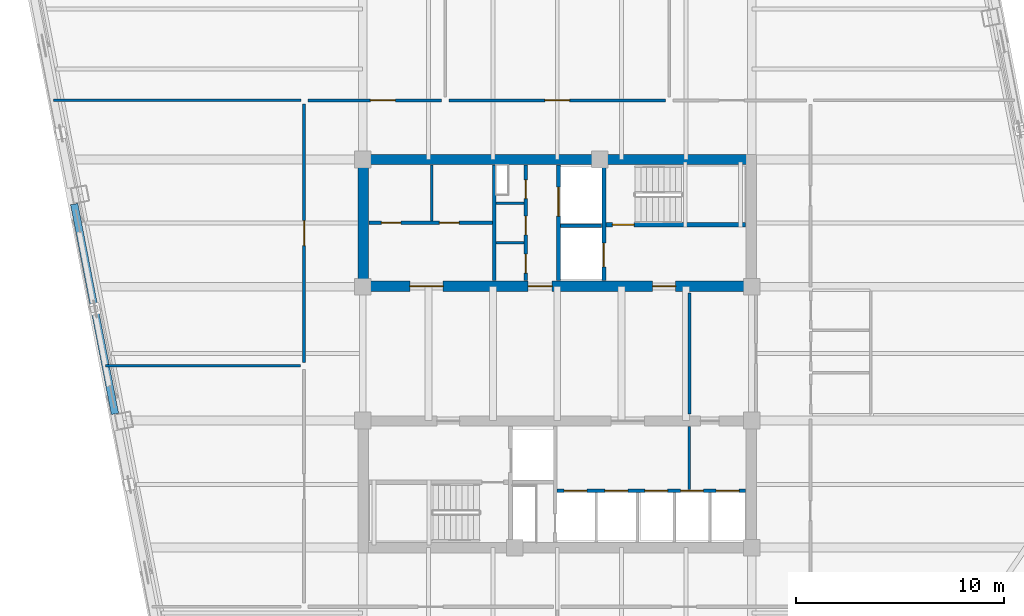
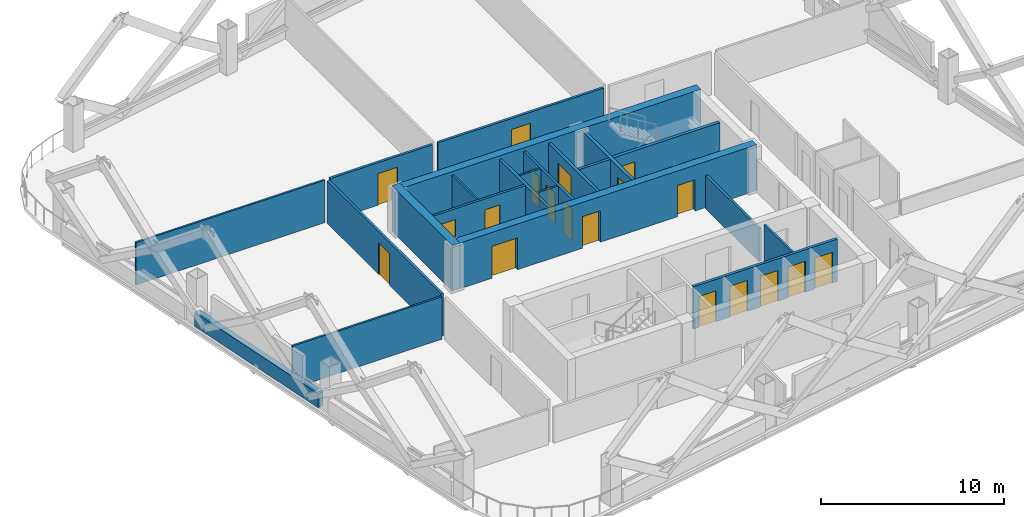
# One storey, part 5 of 9: 22 walls, 19 doors, 19 openings.
"""IFC4 building model written with IfcOpenShell, lengths in metres."""

from ifc_helpers import new_model, si_unit, direction, frame, frame_2d, origin, place, context, subcontext, project, spatial, rectangle, extrude, material, layer, layer_set, type_object, element, fill, save


model = new_model("IFC4")

# Units and contexts
model_context = context("Model", 3, precision=1e-05, world=origin(), true_north=direction((0.0, 1.0)))
body_context = subcontext(model_context, "Body", "Model", "MODEL_VIEW")
ifc_project = project(units=[si_unit("LENGTHUNIT", "METRE"), si_unit("AREAUNIT", "SQUARE_METRE"), si_unit("VOLUMEUNIT", "CUBIC_METRE"), si_unit("PLANEANGLEUNIT", "RADIAN"), si_unit("MASSUNIT", "GRAM", prefix="KILO")], contexts=[model_context])

# Site, building, storey
site_placement = place(None, origin())
site = spatial("IfcSite", under=ifc_project, at=site_placement, CompositionType="ELEMENT")
building_placement = place(site_placement, origin())
building = spatial("IfcBuilding", under=site, at=building_placement, Name="Qhalaya Broadcast Tower", CompositionType="ELEMENT")
storey_placement = place(building_placement, frame((0.0, 0.0, 137.199951171875)))
storey = spatial("IfcBuildingStorey", under=building, at=storey_placement, Name="L40", CompositionType="ELEMENT", Elevation=137.199951171875)

# Wall, openings, doors
ifc_material_1 = material(Name="Gypsum Acoustic Partition")
ifc_layer_1 = layer(ifc_material_1, 0.14990234375, Name="Gypsum Acoustic Partition")
ifc_layer_set_1 = layer_set([ifc_layer_1], Name="Gypsum Acoustic Partition")
wall_type_1 = type_object("IfcWallType", Name="Corridor & Tenancy Acoustic Partition 150", PredefinedType="PARTITIONING", material=ifc_layer_set_1)
wall_1_placement = place(storey_placement, frame((-1.52001953125, 4.1201171875, 0.0), z_axis=(0.0, 0.0, 1.0), x_axis=(0.0, 1.0, 0.0)))
wall_1 = element("IfcWall", 1, at=wall_1_placement, inside=storey, type_object=wall_type_1, Name="L40 Partition Wall NCW-SVL", PredefinedType="PARTITIONING", context=body_context, shape_type="SweptSolid", body=[
    extrude(rectangle(XDim=5.559814453125, YDim=0.14990234375, at=frame_2d((2.77978515625, 0.0))), origin(), (0.0, 0.0, 1.0), 2.830078125),
])
opening_1_placement = place(wall_1_placement, frame((3.949951171875, 0.0, 0.0)))
opening_1 = element("IfcOpeningElement", 2, at=opening_1_placement, cuts=wall_1, Name="Opening D06", PredefinedType="OPENING", context=body_context, shape_type="SweptSolid", body=[
    extrude(rectangle(XDim=0.89990234375, YDim=2.050048828125, at=frame_2d((0.449951171875, 1.02490234375))), frame((0.0, 0.0869140625, 0.0), z_axis=(0.0, -1.0, 0.0), x_axis=(1.0, 0.0, 0.0)), (0.0, 0.0, 1.0), 0.173828125),
])
opening_2_placement = place(wall_1_placement, frame((2.199951171875, 0.0, 0.0)))
opening_2 = element("IfcOpeningElement", 3, at=opening_2_placement, cuts=wall_1, Name="Opening D06", PredefinedType="OPENING", context=body_context, shape_type="SweptSolid", body=[
    extrude(rectangle(XDim=0.89990234375, YDim=2.050048828125, at=frame_2d((0.449951171875, 1.02490234375))), frame((0.0, 0.0869140625, 0.0), z_axis=(0.0, -1.0, 0.0), x_axis=(1.0, 0.0, 0.0)), (0.0, 0.0, 1.0), 0.173828125),
])
opening_3_placement = place(wall_1_placement, frame((0.35009765625, 0.0, 0.0)))
opening_3 = element("IfcOpeningElement", 4, at=opening_3_placement, cuts=wall_1, Name="Opening D12", PredefinedType="OPENING", context=body_context, shape_type="SweptSolid", body=[
    extrude(rectangle(XDim=0.919921875, YDim=2.10009765625, at=frame_2d((0.4599609375, 1.050048828125))), frame((0.0, 0.0869140625, 0.0), z_axis=(0.0, -1.0, 0.0), x_axis=(1.0, 0.0, 0.0)), (0.0, 0.0, 1.0), 0.173828125),
])
ifc_material_2 = material(Name="Timber Veneer Acoustic Door", Category="wood")
door_type_1 = type_object("IfcDoorType", Name="Accessible WC & Restroom Door D12", OperationType="NOTDEFINED", PredefinedType="DOOR", material=ifc_material_2)
door_1_placement = place(opening_3_placement, origin())
door_1 = element("IfcDoor", 5, at=door_1_placement, inside=storey, type_object=door_type_1, Name="L40 Door D-NCWC", OperationType="SINGLE_SWING_RIGHT", OverallHeight=2.10009765625, OverallWidth=0.919921875, PredefinedType="DOOR", context=body_context, shape_type="SweptSolid", body=[
    extrude(rectangle(XDim=0.919921875, YDim=2.10009765625, at=frame_2d((0.4599609375, 1.050048828125))), frame((0.0, 0.02490234375, 0.0), z_axis=(0.0, -1.0, 0.0), x_axis=(1.0, 0.0, 0.0)), (0.0, 0.0, 1.0), 0.050048828125),
])
fill(opening_3, door_1)
ifc_material_3 = material(Name="Fire-Rated Steel Door", Category="steel")
door_type_2 = type_object("IfcDoorType", Name="Riser & Electrical Shaft Access Door D06", OperationType="NOTDEFINED", PredefinedType="DOOR", material=ifc_material_3)
door_2_placement = place(opening_1_placement, origin())
door_2 = element("IfcDoor", 6, at=door_2_placement, inside=storey, type_object=door_type_2, Name="L40 Riser Shaft Access Door D-NRSR", OperationType="SINGLE_SWING_RIGHT", OverallHeight=2.050048828125, OverallWidth=0.89990234375, PredefinedType="DOOR", context=body_context, shape_type="SweptSolid", body=[
    extrude(rectangle(XDim=0.89990234375, YDim=2.050048828125, at=frame_2d((0.449951171875, 1.02490234375))), frame((0.0, 0.02490234375, 0.0), z_axis=(0.0, -1.0, 0.0), x_axis=(1.0, 0.0, 0.0)), (0.0, 0.0, 1.0), 0.050048828125),
])
fill(opening_1, door_2)
door_3_placement = place(opening_2_placement, origin())
door_3 = element("IfcDoor", 7, at=door_3_placement, inside=storey, type_object=door_type_2, Name="L40 Door D-NITR", OperationType="SINGLE_SWING_LEFT", OverallHeight=2.050048828125, OverallWidth=0.89990234375, PredefinedType="DOOR", context=body_context, shape_type="SweptSolid", body=[
    extrude(rectangle(XDim=0.89990234375, YDim=2.050048828125, at=frame_2d((0.449951171875, 1.02490234375))), frame((0.0, 0.02490234375, 0.0), z_axis=(0.0, -1.0, 0.0), x_axis=(1.0, 0.0, 0.0)), (0.0, 0.0, 1.0), 0.050048828125),
])
fill(opening_2, door_3)

wall_2_placement = place(storey_placement, frame((-9.080078125, 6.89990234375, 0.0), z_axis=(0.0, 0.0, 1.0), x_axis=(1.0, 0.0, 0.0)))
wall_2 = element("IfcWall", 8, at=wall_2_placement, inside=storey, type_object=wall_type_1, Name="L40 Partition Wall NCW-REC1", PredefinedType="PARTITIONING", context=body_context, shape_type="SweptSolid", body=[
    extrude(rectangle(XDim=5.9599609375, YDim=0.14990234375, at=frame_2d((2.97998046875, 0.0))), origin(), (0.0, 0.0, 1.0), 2.830078125),
])
opening_4_placement = place(wall_2_placement, frame((0.60009765625, 0.0, 0.0)))
opening_4 = element("IfcOpeningElement", 9, at=opening_4_placement, cuts=wall_2, Name="Opening D10", PredefinedType="OPENING", context=body_context, shape_type="SweptSolid", body=[
    extrude(rectangle(XDim=0.949951171875, YDim=2.10009765625, at=frame_2d((0.47509765625, 1.050048828125))), frame((0.0, 0.0869140625, 0.0), z_axis=(0.0, -1.0, 0.0), x_axis=(1.0, 0.0, 0.0)), (0.0, 0.0, 1.0), 0.173828125),
])
opening_5_placement = place(wall_2_placement, frame((3.39990234375, 0.0, 0.0)))
opening_5 = element("IfcOpeningElement", 10, at=opening_5_placement, cuts=wall_2, Name="Opening D10", PredefinedType="OPENING", context=body_context, shape_type="SweptSolid", body=[
    extrude(rectangle(XDim=0.949951171875, YDim=2.10009765625, at=frame_2d((0.47509765625, 1.050048828125))), frame((0.0, 0.0869140625, 0.0), z_axis=(0.0, -1.0, 0.0), x_axis=(1.0, 0.0, 0.0)), (0.0, 0.0, 1.0), 0.173828125),
])
door_type_3 = type_object("IfcDoorType", Name="Cellular Office & Edit Booth Door D10", OperationType="NOTDEFINED", PredefinedType="DOOR", material=ifc_material_2)
door_4_placement = place(opening_4_placement, origin())
door_4 = element("IfcDoor", 11, at=door_4_placement, inside=storey, type_object=door_type_3, Name="L40 Door D-NREC1", OperationType="SINGLE_SWING_LEFT", OverallHeight=2.10009765625, OverallWidth=0.949951171875, PredefinedType="DOOR", context=body_context, shape_type="SweptSolid", body=[
    extrude(rectangle(XDim=0.949951171875, YDim=2.10009765625, at=frame_2d((0.47509765625, 1.050048828125))), frame((0.0, 0.02490234375, 0.0), z_axis=(0.0, -1.0, 0.0), x_axis=(1.0, 0.0, 0.0)), (0.0, 0.0, 1.0), 0.050048828125),
])
fill(opening_4, door_4)
door_5_placement = place(opening_5_placement, origin())
door_5 = element("IfcDoor", 12, at=door_5_placement, inside=storey, type_object=door_type_3, Name="L40 Door D-NREC2", OperationType="SINGLE_SWING_RIGHT", OverallHeight=2.10009765625, OverallWidth=0.949951171875, PredefinedType="DOOR", context=body_context, shape_type="SweptSolid", body=[
    extrude(rectangle(XDim=0.949951171875, YDim=2.10009765625, at=frame_2d((0.47509765625, 1.050048828125))), frame((0.0, 0.02490234375, 0.0), z_axis=(0.0, -1.0, 0.0), x_axis=(1.0, 0.0, 0.0)), (0.0, 0.0, 1.0), 0.050048828125),
])
fill(opening_5, door_5)

# Wall
wall_3_placement = place(storey_placement, frame((6.3798828125, -2.320068359375, 0.0), z_axis=(0.0, 0.0, 1.0), x_axis=(0.0, 1.0, 0.0)))
element("IfcWall", 13, at=wall_3_placement, inside=storey, type_object=wall_type_1, Name="L40 Partition Wall W-ICHW", PredefinedType="PARTITIONING", context=body_context, shape_type="SweptSolid", body=[
    extrude(rectangle(XDim=5.840087890625, YDim=0.14990234375, at=frame_2d((2.919921875, 0.0))), origin(), (0.0, 0.0, 1.0), 2.197998046875),
])

# Wall, opening, door
wall_4_placement = place(storey_placement, frame((-12.02001953125, 12.800048828125, 0.0), z_axis=(0.0, 0.0, 1.0), x_axis=(1.0, 0.0, 0.0)))
wall_4 = element("IfcWall", 14, at=wall_4_placement, inside=storey, type_object=wall_type_1, Name="L40 Partition Wall W-COR-01", PredefinedType="PARTITIONING", context=body_context, shape_type="SweptSolid", body=[
    extrude(rectangle(XDim=6.43994140625, YDim=0.14990234375, at=frame_2d((3.219970703125, 0.0))), origin(), (0.0, 0.0, 1.0), 2.830078125),
])
opening_6_placement = place(wall_4_placement, frame((3.02001953125, 0.0, 0.0)))
opening_6 = element("IfcOpeningElement", 15, at=opening_6_placement, cuts=wall_4, Name="Opening D11", PredefinedType="OPENING", context=body_context, shape_type="SweptSolid", body=[
    extrude(rectangle(XDim=1.199951171875, YDim=2.10009765625, at=frame_2d((0.60009765625, 1.050048828125))), frame((0.0, 0.0869140625, 0.0), z_axis=(0.0, -1.0, 0.0), x_axis=(1.0, 0.0, 0.0)), (0.0, 0.0, 1.0), 0.173828125),
])
ifc_material_4 = material(Name="Anodised Aluminium Glazed Door", Category="aluminium")
door_type_4 = type_object("IfcDoorType", Name="Conference, Boardroom & Studio Control Door D11", OperationType="NOTDEFINED", PredefinedType="DOOR", material=ifc_material_4)
door_6_placement = place(opening_6_placement, origin())
door_6 = element("IfcDoor", 16, at=door_6_placement, inside=storey, type_object=door_type_4, Name="L40 Door D-RM01", OperationType="SINGLE_SWING_RIGHT", OverallHeight=2.10009765625, OverallWidth=1.199951171875, PredefinedType="DOOR", context=body_context, shape_type="SweptSolid", body=[
    extrude(rectangle(XDim=1.199951171875, YDim=2.10009765625, at=frame_2d((0.60009765625, 1.050048828125))), frame((0.0, 0.02490234375, 0.0), z_axis=(0.0, -1.0, 0.0), x_axis=(1.0, 0.0, 0.0)), (0.0, 0.0, 1.0), 0.050048828125),
])
fill(opening_6, door_6)

wall_5_placement = place(storey_placement, frame((-5.219970703125, 12.800048828125, 0.0), z_axis=(0.0, 0.0, 1.0), x_axis=(1.0, 0.0, 0.0)))
wall_5 = element("IfcWall", 17, at=wall_5_placement, inside=storey, type_object=wall_type_1, Name="L40 Partition Wall W-COR-02", PredefinedType="PARTITIONING", context=body_context, shape_type="SweptSolid", body=[
    extrude(rectangle(XDim=10.43994140625, YDim=0.14990234375, at=frame_2d((5.219970703125, 0.0))), origin(), (0.0, 0.0, 1.0), 2.830078125),
])
opening_7_placement = place(wall_5_placement, frame((4.6201171875, 0.0, 0.0)))
opening_7 = element("IfcOpeningElement", 18, at=opening_7_placement, cuts=wall_5, Name="Opening D11", PredefinedType="OPENING", context=body_context, shape_type="SweptSolid", body=[
    extrude(rectangle(XDim=1.199951171875, YDim=2.10009765625, at=frame_2d((0.60009765625, 1.050048828125))), frame((0.0, 0.0869140625, 0.0), z_axis=(0.0, -1.0, 0.0), x_axis=(1.0, 0.0, 0.0)), (0.0, 0.0, 1.0), 0.173828125),
])
door_7_placement = place(opening_7_placement, origin())
door_7 = element("IfcDoor", 19, at=door_7_placement, inside=storey, type_object=door_type_4, Name="L40 Door D-RM02", OperationType="SINGLE_SWING_LEFT", OverallHeight=2.10009765625, OverallWidth=1.199951171875, PredefinedType="DOOR", context=body_context, shape_type="SweptSolid", body=[
    extrude(rectangle(XDim=1.199951171875, YDim=2.10009765625, at=frame_2d((0.60009765625, 1.050048828125))), frame((0.0, 0.02490234375, 0.0), z_axis=(0.0, -1.0, 0.0), x_axis=(1.0, 0.0, 0.0)), (0.0, 0.0, 1.0), 0.050048828125),
])
fill(opening_7, door_7)

wall_6_placement = place(storey_placement, frame((-12.199951171875, 0.179931640625, 0.0), z_axis=(0.0, 0.0, 1.0), x_axis=(0.0, 1.0, 0.0)))
wall_6 = element("IfcWall", 20, at=wall_6_placement, inside=storey, type_object=wall_type_1, Name="L40 Partition Wall W-COR-07", PredefinedType="PARTITIONING", context=body_context, shape_type="SweptSolid", body=[
    extrude(rectangle(XDim=12.440185546875, YDim=0.14990234375, at=frame_2d((6.22021484375, 0.0))), origin(), (0.0, 0.0, 1.0), 2.830078125),
])
opening_8_placement = place(wall_6_placement, frame((5.6201171875, 0.0, 0.0)))
opening_8 = element("IfcOpeningElement", 21, at=opening_8_placement, cuts=wall_6, Name="Opening D11", PredefinedType="OPENING", context=body_context, shape_type="SweptSolid", body=[
    extrude(rectangle(XDim=1.199951171875, YDim=2.10009765625, at=frame_2d((0.60009765625, 1.050048828125))), frame((0.0, 0.0869140625, 0.0), z_axis=(0.0, -1.0, 0.0), x_axis=(1.0, 0.0, 0.0)), (0.0, 0.0, 1.0), 0.173828125),
])
door_8_placement = place(opening_8_placement, origin())
door_8 = element("IfcDoor", 22, at=door_8_placement, inside=storey, type_object=door_type_4, Name="L40 Door D-RM07", OperationType="SINGLE_SWING_RIGHT", OverallHeight=2.10009765625, OverallWidth=1.199951171875, PredefinedType="DOOR", context=body_context, shape_type="SweptSolid", body=[
    extrude(rectangle(XDim=1.199951171875, YDim=2.10009765625, at=frame_2d((0.60009765625, 1.050048828125))), frame((0.0, 0.02490234375, 0.0), z_axis=(0.0, -1.0, 0.0), x_axis=(1.0, 0.0, 0.0)), (0.0, 0.0, 1.0), 0.050048828125),
])
fill(opening_8, door_8)

# Wall
ifc_material_5 = material(Name="Precast Concrete C40/50", Category="concrete")
ifc_layer_2 = layer(ifc_material_5, 0.360107421875, Name="Precast Concrete C40/50")
ifc_layer_set_2 = layer_set([ifc_layer_2], Name="Precast Concrete C40/50")
wall_type_2 = type_object("IfcWallType", Name="Insulated Precast Terracotta Exterior Wall 360", PredefinedType="SOLIDWALL", material=ifc_layer_set_2)
wall_7_placement = place(storey_placement, frame((-21.31005859375, -2.30859375, 0.0), z_axis=(0.0, 0.0, 1.0), x_axis=(-0.190811924826, 0.981626614016, 0.0)))
element("IfcWall", 23, at=wall_7_placement, inside=storey, type_object=wall_type_2, Name="L40 Exoskeleton Diagrid Infill Wall W2", PredefinedType="SOLIDWALL", context=body_context, shape_type="SweptSolid", body=[
    extrude(rectangle(XDim=10.2998046875, YDim=0.360107421875, at=frame_2d((5.14990234375, 0.0))), origin(), (0.0, 0.0, 1.0), 0.949951171875),
])

# Wall, opening, door
ifc_material_6 = material(Name="Concrete C50/60", Category="concrete")
ifc_layer_3 = layer(ifc_material_6, 0.199951171875, Name="Concrete C50/60")
ifc_layer_set_3 = layer_set([ifc_layer_3], Name="Concrete C50/60")
wall_type_3 = type_object("IfcWallType", Name="Load-Bearing Stair Shaft Wall 200", PredefinedType="SHEAR", material=ifc_layer_set_3)
wall_8_placement = place(storey_placement, frame((2.360107421875, 6.804931640625, 0.0), z_axis=(0.0, 0.0, 1.0), x_axis=(1.0, 0.0, 0.0)))
wall_8 = element("IfcWall", 24, at=wall_8_placement, inside=storey, type_object=wall_type_3, Name="L40 Stair Core Shear Wall NCW-ST1", PredefinedType="SHEAR", context=body_context, shape_type="SweptSolid", body=[
    extrude(rectangle(XDim=6.719970703125, YDim=0.199951171875, at=frame_2d((3.35986328125, 0.0))), origin(), (0.0, 0.0, 1.0), 2.830078125),
])
opening_9_placement = place(wall_8_placement, frame((0.300048828125, 0.0, 0.0)))
opening_9 = element("IfcOpeningElement", 25, at=opening_9_placement, cuts=wall_8, Name="Opening D03", PredefinedType="OPENING", context=body_context, shape_type="SweptSolid", body=[
    extrude(rectangle(XDim=1.050048828125, YDim=2.080078125, at=frame_2d((0.52490234375, 1.0400390625))), frame((0.0, 0.112060546875, 0.0), z_axis=(0.0, -1.0, 0.0), x_axis=(1.0, 0.0, 0.0)), (0.0, 0.0, 1.0), 0.223876953125),
])
door_type_5 = type_object("IfcDoorType", Name="Core Stair Protected Fire Door D03", OperationType="NOTDEFINED", PredefinedType="DOOR", material=ifc_material_3)
door_9_placement = place(opening_9_placement, origin())
door_9 = element("IfcDoor", 26, at=door_9_placement, inside=storey, type_object=door_type_5, Name="L40 Door D-NST1", OperationType="SINGLE_SWING_LEFT", OverallHeight=2.080078125, OverallWidth=1.050048828125, PredefinedType="DOOR", context=body_context, shape_type="SweptSolid", body=[
    extrude(rectangle(XDim=1.050048828125, YDim=2.080078125, at=frame_2d((0.52490234375, 1.0400390625))), frame((0.0, 0.02490234375, 0.0), z_axis=(0.0, -1.0, 0.0), x_axis=(1.0, 0.0, 0.0)), (0.0, 0.0, 1.0), 0.050048828125),
])
fill(opening_9, door_9)

wall_9_placement = place(storey_placement, frame((2.25, 4.1201171875, 0.0), z_axis=(0.0, 0.0, 1.0), x_axis=(0.0, 1.0, 0.0)))
wall_9 = element("IfcWall", 27, at=wall_9_placement, inside=storey, type_object=wall_type_3, Name="L40 Stair Core Shear Wall NCW-FF", PredefinedType="SHEAR", context=body_context, shape_type="SweptSolid", body=[
    extrude(rectangle(XDim=5.559814453125, YDim=0.199951171875, at=frame_2d((2.77978515625, 0.0))), origin(), (0.0, 0.0, 1.0), 2.830078125),
])
opening_10_placement = place(wall_9_placement, frame((0.64990234375, 0.0, 0.0)))
opening_10 = element("IfcOpeningElement", 28, at=opening_10_placement, cuts=wall_9, Name="Opening LD2", PredefinedType="OPENING", context=body_context, shape_type="SweptSolid", body=[
    extrude(rectangle(XDim=1.14990234375, YDim=2.080078125, at=frame_2d((0.574951171875, 1.0400390625))), frame((0.0, 0.112060546875, 0.0), z_axis=(0.0, -1.0, 0.0), x_axis=(1.0, 0.0, 0.0)), (0.0, 0.0, 1.0), 0.223876953125),
])
ifc_material_7 = material(Name="Brushed Stainless Steel Lift Door", Category="steel")
door_type_6 = type_object("IfcDoorType", Name="Firefighting Lift Sliding Landing Door LD2", OperationType="DOUBLE_DOOR_SLIDING", PredefinedType="DOOR", material=ifc_material_7)
door_10_placement = place(opening_10_placement, origin())
door_10 = element("IfcDoor", 29, at=door_10_placement, inside=storey, type_object=door_type_6, Name="L40 Door LD-FF1", OperationType="DOUBLE_DOOR_SLIDING", OverallHeight=2.080078125, OverallWidth=1.14990234375, PredefinedType="DOOR", context=body_context, shape_type="SweptSolid", body=[
    extrude(rectangle(XDim=1.14990234375, YDim=2.080078125, at=frame_2d((0.574951171875, 1.0400390625))), frame((0.0, 0.02490234375, 0.0), z_axis=(0.0, -1.0, 0.0), x_axis=(1.0, 0.0, 0.0)), (0.0, 0.0, 1.0), 0.050048828125),
])
fill(opening_10, door_10)

# Wall
ifc_layer_4 = layer(ifc_material_6, 0.5, Name="Concrete C50/60")
ifc_layer_set_4 = layer_set([ifc_layer_4], Name="Concrete C50/60")
wall_type_4 = type_object("IfcWallType", Name="Mid Split-Core Shear Wall 500", PredefinedType="SHEAR", material=ifc_layer_set_4)
wall_10_placement = place(storey_placement, frame((-9.60009765625, 9.949951171875, 0.0), z_axis=(0.0, 0.0, 1.0), x_axis=(1.0, 0.0, 0.0)))
element("IfcWall", 30, at=wall_10_placement, inside=storey, type_object=wall_type_4, Name="L40 Split-Core Shear Wall CW-NN", PredefinedType="SHEAR", context=body_context, shape_type="SweptSolid", body=[
    extrude(rectangle(XDim=19.2001953125, YDim=0.5, at=frame_2d((9.60009765625, 0.0))), origin(), (0.0, 0.0, 1.0), 3.050048828125),
])

# Wall, openings, doors
wall_11_placement = place(storey_placement, frame((-9.60009765625, 3.85009765625, 0.0), z_axis=(0.0, 0.0, 1.0), x_axis=(1.0, 0.0, 0.0)))
wall_11 = element("IfcWall", 31, at=wall_11_placement, inside=storey, type_object=wall_type_4, Name="L40 Split-Core Shear Wall CW-NS", PredefinedType="SHEAR", context=body_context, shape_type="SweptSolid", body=[
    extrude(rectangle(XDim=19.2001953125, YDim=0.5, at=frame_2d((9.60009765625, 0.0))), origin(), (0.0, 0.0, 1.0), 3.050048828125),
])
opening_11_placement = place(wall_11_placement, frame((14.199951171875, 0.0, 0.0)))
opening_11 = element("IfcOpeningElement", 32, at=opening_11_placement, cuts=wall_11, Name="Opening D04", PredefinedType="OPENING", context=body_context, shape_type="SweptSolid", body=[
    extrude(rectangle(XDim=1.10009765625, YDim=2.080078125, at=frame_2d((0.550048828125, 1.0400390625))), frame((0.0, 0.261962890625, 0.0), z_axis=(0.0, -1.0, 0.0), x_axis=(1.0, 0.0, 0.0)), (0.0, 0.0, 1.0), 0.52392578125),
])
opening_12_placement = place(wall_11_placement, frame((8.199951171875, 0.0, 0.0)))
opening_12 = element("IfcOpeningElement", 33, at=opening_12_placement, cuts=wall_11, Name="Opening D05", PredefinedType="OPENING", context=body_context, shape_type="SweptSolid", body=[
    extrude(rectangle(XDim=1.14990234375, YDim=2.10009765625, at=frame_2d((0.574951171875, 1.050048828125))), frame((0.0, 0.261962890625, 0.0), z_axis=(0.0, -1.0, 0.0), x_axis=(1.0, 0.0, 0.0)), (0.0, 0.0, 1.0), 0.52392578125),
])
opening_13_placement = place(wall_11_placement, frame((2.5, 0.0, 0.0)))
opening_13 = element("IfcOpeningElement", 34, at=opening_13_placement, cuts=wall_11, Name="Opening D07", PredefinedType="OPENING", context=body_context, shape_type="SweptSolid", body=[
    extrude(rectangle(XDim=1.60009765625, YDim=2.1201171875, at=frame_2d((0.800048828125, 1.06005859375))), frame((0.0, 0.261962890625, 0.0), z_axis=(0.0, -1.0, 0.0), x_axis=(1.0, 0.0, 0.0)), (0.0, 0.0, 1.0), 0.52392578125),
])
door_type_7 = type_object("IfcDoorType", Name="Firefighting Lobby Rated Door D04", OperationType="NOTDEFINED", PredefinedType="DOOR", material=ifc_material_3)
door_11_placement = place(opening_11_placement, origin())
door_11 = element("IfcDoor", 35, at=door_11_placement, inside=storey, type_object=door_type_7, Name="L40 Door D-NFF", OperationType="SINGLE_SWING_RIGHT", OverallHeight=2.080078125, OverallWidth=1.10009765625, PredefinedType="DOOR", context=body_context, shape_type="SweptSolid", body=[
    extrude(rectangle(XDim=1.10009765625, YDim=2.080078125, at=frame_2d((0.550048828125, 1.0400390625))), frame((0.0, 0.02490234375, 0.0), z_axis=(0.0, -1.0, 0.0), x_axis=(1.0, 0.0, 0.0)), (0.0, 0.0, 1.0), 0.050048828125),
])
fill(opening_11, door_11)
door_type_8 = type_object("IfcDoorType", Name="Passenger Lift Lobby Double Glazed Door D07", OperationType="DOUBLE_DOOR_SINGLE_SWING", PredefinedType="DOOR", material=ifc_material_4)
door_12_placement = place(opening_13_placement, origin())
door_12 = element("IfcDoor", 36, at=door_12_placement, inside=storey, type_object=door_type_8, Name="L40 Door D-NRECV", OperationType="DOUBLE_DOOR_SINGLE_SWING", OverallHeight=2.1201171875, OverallWidth=1.60009765625, PredefinedType="DOOR", context=body_context, shape_type="SweptSolid", body=[
    extrude(rectangle(XDim=1.60009765625, YDim=2.1201171875, at=frame_2d((0.800048828125, 1.06005859375))), frame((0.0, 0.02490234375, 0.0), z_axis=(0.0, -1.0, 0.0), x_axis=(1.0, 0.0, 0.0)), (0.0, 0.0, 1.0), 0.050048828125),
])
fill(opening_13, door_12)
door_type_9 = type_object("IfcDoorType", Name="Refuge & Plant Room Fire Door D05", OperationType="NOTDEFINED", PredefinedType="DOOR", material=ifc_material_3)
door_13_placement = place(opening_12_placement, origin())
door_13 = element("IfcDoor", 37, at=door_13_placement, inside=storey, type_object=door_type_9, Name="L40 Door D-NSVL", OperationType="SINGLE_SWING_LEFT", OverallHeight=2.10009765625, OverallWidth=1.14990234375, PredefinedType="DOOR", context=body_context, shape_type="SweptSolid", body=[
    extrude(rectangle(XDim=1.14990234375, YDim=2.10009765625, at=frame_2d((0.574951171875, 1.050048828125))), frame((0.0, 0.02490234375, 0.0), z_axis=(0.0, -1.0, 0.0), x_axis=(1.0, 0.0, 0.0)), (0.0, 0.0, 1.0), 0.050048828125),
])
fill(opening_12, door_13)

# Walls
wall_12_placement = place(storey_placement, frame((-9.35009765625, 3.60009765625, 0.0), z_axis=(0.0, 0.0, 1.0), x_axis=(0.0, 1.0, 0.0)))
element("IfcWall", 38, at=wall_12_placement, inside=storey, type_object=wall_type_4, Name="L40 Split-Core Shear Wall CW-NW", PredefinedType="SHEAR", context=body_context, shape_type="SweptSolid", body=[
    extrude(rectangle(XDim=6.599853515625, YDim=0.5, at=frame_2d((3.2998046875, 0.0))), origin(), (0.0, 0.0, 1.0), 3.050048828125),
])
ifc_layer_5 = layer(ifc_material_1, 0.1201171875, Name="Gypsum Acoustic Partition")
ifc_layer_set_5 = layer_set([ifc_layer_5], Name="Gypsum Acoustic Partition")
wall_type_5 = type_object("IfcWallType", Name="Office, Booth & Sanitary Partition 120", PredefinedType="PARTITIONING", material=ifc_layer_set_5)
for number, where, z_axis, x_axis, name in (
    (39, (-2.9599609375, 5.949951171875, 0.0), (0.0, 0.0, 1.0), (1.0, 0.0, 0.0), "L40 Partition Wall NCW-VB1"),
    (40, (-2.9599609375, 7.85009765625, 0.0), (0.0, 0.0, 1.0), (1.0, 0.0, 0.0), "L40 Partition Wall NCW-VB2"),
):
    element("IfcWall", number, at=place(storey_placement, frame(where, z_axis=z_axis, x_axis=x_axis)), inside=storey, type_object=wall_type_5, Name=name, PredefinedType="PARTITIONING", context=body_context, shape_type="SweptSolid", body=[
        extrude(rectangle(XDim=1.35986328125, YDim=0.1201171875, at=frame_2d((0.679931640625, 0.0))), origin(), (0.0, 0.0, 1.0), 2.830078125),
    ])
wall_13_placement = place(storey_placement, frame((-6.050048828125, 6.97998046875, 0.0), z_axis=(0.0, 0.0, 1.0), x_axis=(0.0, 1.0, 0.0)))
element("IfcWall", 41, at=wall_13_placement, inside=storey, type_object=wall_type_5, Name="L40 Partition Wall NCW-REC2", PredefinedType="PARTITIONING", context=body_context, shape_type="SweptSolid", body=[
    extrude(rectangle(XDim=2.699951171875, YDim=0.1201171875, at=frame_2d((1.35009765625, 0.0))), origin(), (0.0, 0.0, 1.0), 2.830078125),
])
wall_14_placement = place(storey_placement, frame((6.35009765625, -5.93994140625, 0.0), z_axis=(0.0, 0.0, 1.0), x_axis=(0.0, 1.0, 0.0)))
element("IfcWall", 42, at=wall_14_placement, inside=storey, type_object=wall_type_5, Name="L40 Partition Wall SCW-LKB", PredefinedType="PARTITIONING", context=body_context, shape_type="SweptSolid", body=[
    extrude(rectangle(XDim=3.02001953125, YDim=0.1201171875, at=frame_2d((1.510009765625, 0.0))), origin(), (0.0, 0.0, 1.0), 2.830078125),
])
wall_15_placement = place(storey_placement, frame((-24.267333984375, 12.800048828125, 0.0), z_axis=(0.0, 0.0, 1.0), x_axis=(1.0, 0.0, 0.0)))
element("IfcWall", 43, at=wall_15_placement, inside=storey, type_object=wall_type_5, Name="L40 Partition Wall W-BNDW1", PredefinedType="PARTITIONING", context=body_context, shape_type="SweptSolid", body=[
    extrude(rectangle(XDim=11.92724609375, YDim=0.1201171875, at=frame_2d((5.963623046875, 0.0))), origin(), (0.0, 0.0, 1.0), 2.830078125),
])
wall_16_placement = place(storey_placement, frame((-21.779296875, 0.0, 0.0), z_axis=(0.0, 0.0, 1.0), x_axis=(1.0, 0.0, 0.0)))
element("IfcWall", 44, at=wall_16_placement, inside=storey, type_object=wall_type_5, Name="L40 Partition Wall W-DIVW1", PredefinedType="PARTITIONING", context=body_context, shape_type="SweptSolid", body=[
    extrude(rectangle(XDim=9.419189453125, YDim=0.1201171875, at=frame_2d((4.70947265625, 0.0))), origin(), (0.0, 0.0, 1.0), 2.830078125),
])

# Wall, opening, door
ifc_layer_6 = layer(ifc_material_1, 0.175048828125, Name="Gypsum Acoustic Partition")
ifc_layer_set_6 = layer_set([ifc_layer_6], Name="Gypsum Acoustic Partition")
wall_type_6 = type_object("IfcWallType", Name="Shaft & Riser Fire Partition 175", PredefinedType="PARTITIONING", material=ifc_layer_set_6)
wall_17_placement = place(storey_placement, frame((0.06005859375, 4.1201171875, 0.0), z_axis=(0.0, 0.0, 1.0), x_axis=(0.0, 1.0, 0.0)))
wall_17 = element("IfcWall", 45, at=wall_17_placement, inside=storey, type_object=wall_type_6, Name="L40 Partition Wall NCW-SVW", PredefinedType="PARTITIONING", context=body_context, shape_type="SweptSolid", body=[
    extrude(rectangle(XDim=5.559814453125, YDim=0.175048828125, at=frame_2d((2.77978515625, 0.0))), origin(), (0.0, 0.0, 1.0), 2.830078125),
])
opening_14_placement = place(wall_17_placement, frame((3.10009765625, 0.0, 0.0)))
opening_14 = element("IfcOpeningElement", 46, at=opening_14_placement, cuts=wall_17, Name="Opening LD3", PredefinedType="OPENING", context=body_context, shape_type="SweptSolid", body=[
    extrude(rectangle(XDim=1.39990234375, YDim=2.1201171875, at=frame_2d((0.699951171875, 1.06005859375))), frame((0.0, 0.099609375, 0.0), z_axis=(0.0, -1.0, 0.0), x_axis=(1.0, 0.0, 0.0)), (0.0, 0.0, 1.0), 0.198974609375),
])
door_type_10 = type_object("IfcDoorType", Name="Service Lift Wide Sliding Landing Door LD3", OperationType="DOUBLE_DOOR_SLIDING", PredefinedType="DOOR", material=ifc_material_7)
door_14_placement = place(opening_14_placement, origin())
door_14 = element("IfcDoor", 47, at=door_14_placement, inside=storey, type_object=door_type_10, Name="L40 Door LD-SV1", OperationType="DOUBLE_DOOR_SLIDING", OverallHeight=2.1201171875, OverallWidth=1.39990234375, PredefinedType="DOOR", context=body_context, shape_type="SweptSolid", body=[
    extrude(rectangle(XDim=1.39990234375, YDim=2.1201171875, at=frame_2d((0.699951171875, 1.06005859375))), frame((0.0, 0.02490234375, 0.0), z_axis=(0.0, -1.0, 0.0), x_axis=(1.0, 0.0, 0.0)), (0.0, 0.0, 1.0), 0.050048828125),
])
fill(opening_14, door_14)

# Walls
wall_18_placement = place(storey_placement, frame((0.159912109375, 6.75, 0.0), z_axis=(0.0, 0.0, 1.0), x_axis=(1.0, 0.0, 0.0)))
element("IfcWall", 48, at=wall_18_placement, inside=storey, type_object=wall_type_6, Name="L40 Partition Wall NCW-SVM", PredefinedType="PARTITIONING", context=body_context, shape_type="SweptSolid", body=[
    extrude(rectangle(XDim=1.97998046875, YDim=0.175048828125, at=frame_2d((0.989990234375, 0.0))), origin(), (0.0, 0.0, 1.0), 2.830078125),
])
wall_19_placement = place(storey_placement, frame((-3.0400390625, 4.1201171875, 0.0), z_axis=(0.0, 0.0, 1.0), x_axis=(0.0, 1.0, 0.0)))
element("IfcWall", 49, at=wall_19_placement, inside=storey, type_object=wall_type_6, Name="L40 Partition Wall NCW-VRW", PredefinedType="PARTITIONING", context=body_context, shape_type="SweptSolid", body=[
    extrude(rectangle(XDim=5.559814453125, YDim=0.175048828125, at=frame_2d((2.77978515625, 0.0))), origin(), (0.0, 0.0, 1.0), 2.830078125),
])

# Wall, openings, doors
wall_20_placement = place(storey_placement, frame((0.0, -6.02001953125, 0.0), z_axis=(0.0, 0.0, 1.0), x_axis=(1.0, 0.0, 0.0)))
wall_20 = element("IfcWall", 50, at=wall_20_placement, inside=storey, type_object=wall_type_6, Name="L40 Partition Wall SCW-SLB", PredefinedType="PARTITIONING", context=body_context, shape_type="SweptSolid", body=[
    extrude(rectangle(XDim=9.080078125, YDim=0.175048828125, at=frame_2d((4.5400390625, 0.0))), origin(), (0.0, 0.0, 1.0), 2.830078125),
])
opening_15_placement = place(wall_20_placement, frame((0.330078125, 0.0, 0.0)))
opening_15 = element("IfcOpeningElement", 51, at=opening_15_placement, cuts=wall_20, Name="Opening LD1", PredefinedType="OPENING", context=body_context, shape_type="SweptSolid", body=[
    extrude(rectangle(XDim=1.10009765625, YDim=2.06005859375, at=frame_2d((0.550048828125, 1.030029296875))), frame((0.0, 0.099609375, 0.0), z_axis=(0.0, -1.0, 0.0), x_axis=(1.0, 0.0, 0.0)), (0.0, 0.0, 1.0), 0.198974609375),
])
opening_16_placement = place(wall_20_placement, frame((2.300048828125, 0.0, 0.0)))
opening_16 = element("IfcOpeningElement", 52, at=opening_16_placement, cuts=wall_20, Name="Opening LD1", PredefinedType="OPENING", context=body_context, shape_type="SweptSolid", body=[
    extrude(rectangle(XDim=1.10009765625, YDim=2.06005859375, at=frame_2d((0.550048828125, 1.030029296875))), frame((0.0, 0.099609375, 0.0), z_axis=(0.0, -1.0, 0.0), x_axis=(1.0, 0.0, 0.0)), (0.0, 0.0, 1.0), 0.198974609375),
])
opening_17_placement = place(wall_20_placement, frame((4.219970703125, 0.0, 0.0)))
opening_17 = element("IfcOpeningElement", 53, at=opening_17_placement, cuts=wall_20, Name="Opening LD1", PredefinedType="OPENING", context=body_context, shape_type="SweptSolid", body=[
    extrude(rectangle(XDim=1.10009765625, YDim=2.06005859375, at=frame_2d((0.550048828125, 1.030029296875))), frame((0.0, 0.099609375, 0.0), z_axis=(0.0, -1.0, 0.0), x_axis=(1.0, 0.0, 0.0)), (0.0, 0.0, 1.0), 0.198974609375),
])
opening_18_placement = place(wall_20_placement, frame((5.93994140625, 0.0, 0.0)))
opening_18 = element("IfcOpeningElement", 54, at=opening_18_placement, cuts=wall_20, Name="Opening LD1", PredefinedType="OPENING", context=body_context, shape_type="SweptSolid", body=[
    extrude(rectangle(XDim=1.10009765625, YDim=2.06005859375, at=frame_2d((0.550048828125, 1.030029296875))), frame((0.0, 0.099609375, 0.0), z_axis=(0.0, -1.0, 0.0), x_axis=(1.0, 0.0, 0.0)), (0.0, 0.0, 1.0), 0.198974609375),
])
opening_19_placement = place(wall_20_placement, frame((7.659912109375, 0.0, 0.0)))
opening_19 = element("IfcOpeningElement", 55, at=opening_19_placement, cuts=wall_20, Name="Opening LD1", PredefinedType="OPENING", context=body_context, shape_type="SweptSolid", body=[
    extrude(rectangle(XDim=1.10009765625, YDim=2.06005859375, at=frame_2d((0.550048828125, 1.030029296875))), frame((0.0, 0.099609375, 0.0), z_axis=(0.0, -1.0, 0.0), x_axis=(1.0, 0.0, 0.0)), (0.0, 0.0, 1.0), 0.198974609375),
])
door_type_11 = type_object("IfcDoorType", Name="Passenger Lift Sliding Landing Door LD1", OperationType="DOUBLE_DOOR_SLIDING", PredefinedType="DOOR", material=ifc_material_7)
door_15_placement = place(opening_15_placement, origin())
door_15 = element("IfcDoor", 56, at=door_15_placement, inside=storey, type_object=door_type_11, Name="L40 Door LD-P4", OperationType="DOUBLE_DOOR_SLIDING", OverallHeight=2.06005859375, OverallWidth=1.10009765625, PredefinedType="DOOR", context=body_context, shape_type="SweptSolid", body=[
    extrude(rectangle(XDim=1.10009765625, YDim=2.06005859375, at=frame_2d((0.550048828125, 1.030029296875))), frame((0.0, 0.02490234375, 0.0), z_axis=(0.0, -1.0, 0.0), x_axis=(1.0, 0.0, 0.0)), (0.0, 0.0, 1.0), 0.050048828125),
])
fill(opening_15, door_15)
door_16_placement = place(opening_16_placement, origin())
door_16 = element("IfcDoor", 57, at=door_16_placement, inside=storey, type_object=door_type_11, Name="L40 Door LD-P5", OperationType="DOUBLE_DOOR_SLIDING", OverallHeight=2.06005859375, OverallWidth=1.10009765625, PredefinedType="DOOR", context=body_context, shape_type="SweptSolid", body=[
    extrude(rectangle(XDim=1.10009765625, YDim=2.06005859375, at=frame_2d((0.550048828125, 1.030029296875))), frame((0.0, 0.02490234375, 0.0), z_axis=(0.0, -1.0, 0.0), x_axis=(1.0, 0.0, 0.0)), (0.0, 0.0, 1.0), 0.050048828125),
])
fill(opening_16, door_16)
door_17_placement = place(opening_17_placement, origin())
door_17 = element("IfcDoor", 58, at=door_17_placement, inside=storey, type_object=door_type_11, Name="L40 Door LD-P6", OperationType="DOUBLE_DOOR_SLIDING", OverallHeight=2.06005859375, OverallWidth=1.10009765625, PredefinedType="DOOR", context=body_context, shape_type="SweptSolid", body=[
    extrude(rectangle(XDim=1.10009765625, YDim=2.06005859375, at=frame_2d((0.550048828125, 1.030029296875))), frame((0.0, 0.02490234375, 0.0), z_axis=(0.0, -1.0, 0.0), x_axis=(1.0, 0.0, 0.0)), (0.0, 0.0, 1.0), 0.050048828125),
])
fill(opening_17, door_17)
door_18_placement = place(opening_18_placement, origin())
door_18 = element("IfcDoor", 59, at=door_18_placement, inside=storey, type_object=door_type_11, Name="L40 Door LD-P7", OperationType="DOUBLE_DOOR_SLIDING", OverallHeight=2.06005859375, OverallWidth=1.10009765625, PredefinedType="DOOR", context=body_context, shape_type="SweptSolid", body=[
    extrude(rectangle(XDim=1.10009765625, YDim=2.06005859375, at=frame_2d((0.550048828125, 1.030029296875))), frame((0.0, 0.02490234375, 0.0), z_axis=(0.0, -1.0, 0.0), x_axis=(1.0, 0.0, 0.0)), (0.0, 0.0, 1.0), 0.050048828125),
])
fill(opening_18, door_18)
door_19_placement = place(opening_19_placement, origin())
door_19 = element("IfcDoor", 60, at=door_19_placement, inside=storey, type_object=door_type_11, Name="L40 Door LD-P8", OperationType="DOUBLE_DOOR_SLIDING", OverallHeight=2.06005859375, OverallWidth=1.10009765625, PredefinedType="DOOR", context=body_context, shape_type="SweptSolid", body=[
    extrude(rectangle(XDim=1.10009765625, YDim=2.06005859375, at=frame_2d((0.550048828125, 1.030029296875))), frame((0.0, 0.02490234375, 0.0), z_axis=(0.0, -1.0, 0.0), x_axis=(1.0, 0.0, 0.0)), (0.0, 0.0, 1.0), 0.050048828125),
])
fill(opening_19, door_19)

save(model, "model.ifc")
